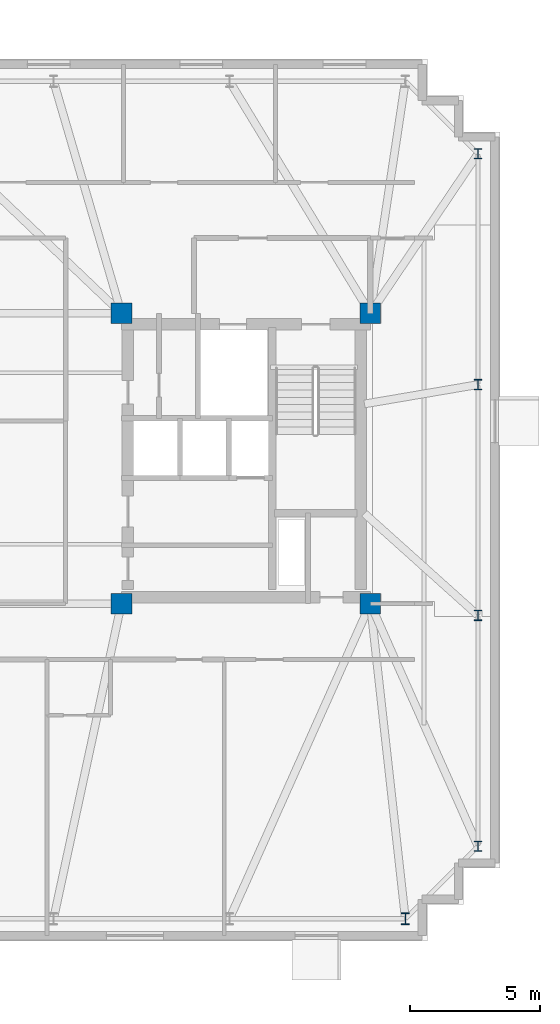
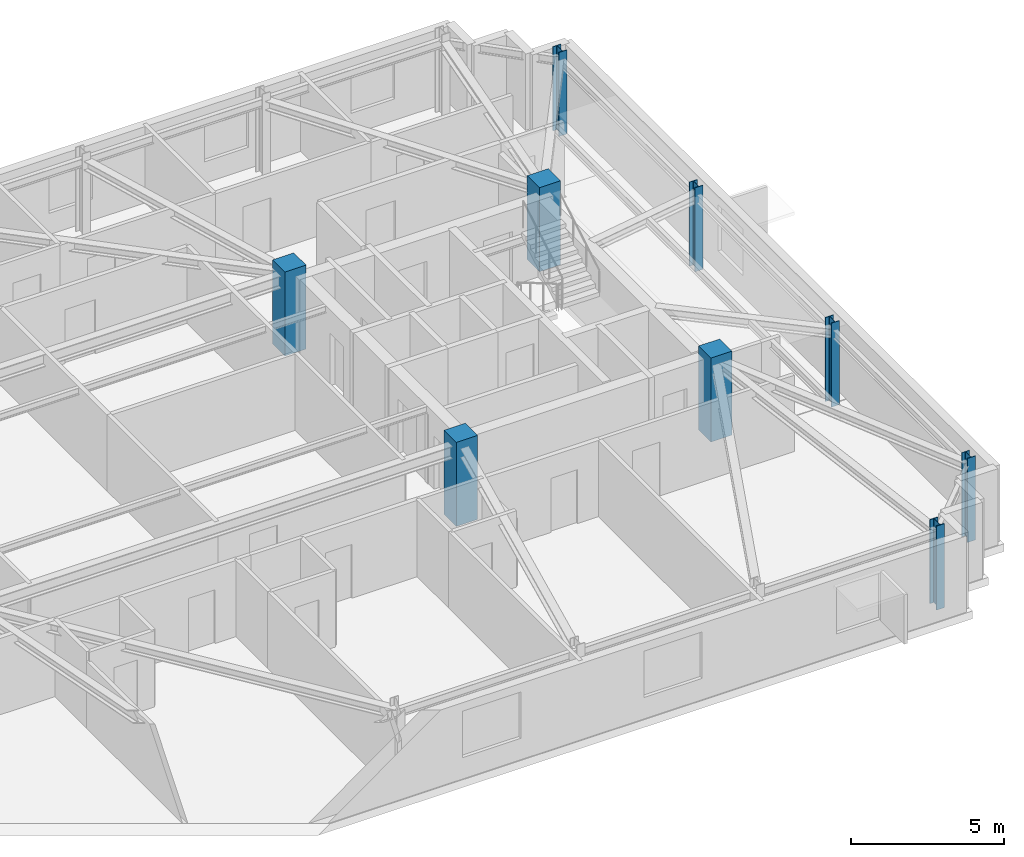
# One storey, part 2 of 12: 9 columns.
"""IFC4 building model written with IfcOpenShell, lengths in metres."""

import ifcopenshell
import ifcopenshell.guid

model = None  # the IFC model being written
_history = None  # IfcOwnerHistory: only IFC2X3 demands one
_inside = {}  # id of a spatial element -> (the spatial element, [elements in it])
_under = {}  # id of a project, library or spatial element -> (it, [spatial elements below it])
_declared = {}  # id of a project -> (the project, [libraries it declares])
_typed = {}  # id of a type object -> (the type object, [elements of that type])
_made_of = {}  # id of a material, layer set ... -> (it, [elements and type objects made of it])


def new_model(schema):
    """Start an empty IFC model of exactly this schema.

    Asked for "IFC4X3", IfcOpenShell would pick the latest addendum, in which some entities
    have other attributes; the version numbers below select the first issue.
    IFC2X3 requires an IfcOwnerHistory on every rooted entity: one is made here for all.
    """
    global model, _history
    if schema == "IFC4X3":
        model = ifcopenshell.file(schema_version=(4, 3, 0, 0))
    else:
        model = ifcopenshell.file(schema=schema)
    _inside.clear()
    _under.clear()
    _declared.clear()
    _typed.clear()
    _made_of.clear()
    _history = None
    if model.schema == "IFC2X3":
        org = make("IfcOrganization", Name="unknown")
        user = make(
            "IfcPersonAndOrganization",
            ThePerson=make("IfcPerson", FamilyName="unknown"),
            TheOrganization=org,
        )
        app = make(
            "IfcApplication",
            ApplicationDeveloper=org,
            Version="unknown",
            ApplicationFullName="unknown",
            ApplicationIdentifier="unknown",
        )
        _history = make(
            "IfcOwnerHistory",
            OwningUser=user,
            OwningApplication=app,
            ChangeAction="ADDED",
            CreationDate=0,
        )
    return model


def make(cls, **values):
    """One entity of the class cls with the attributes given. An attribute that is None is left unset."""
    return model.create_entity(
        cls, **{name: value for name, value in values.items() if value is not None}
    )


def rooted(cls, **values):
    """An entity with a GlobalId (a new one), such as an element, a storey or a relation."""
    return make(cls, GlobalId=ifcopenshell.guid.new(), OwnerHistory=_history, **values)


def si_unit(unit_type, name, prefix=None):
    """IfcSIUnit, for example si_unit("LENGTHUNIT", "METRE", prefix="MILLI")."""
    return make("IfcSIUnit", UnitType=unit_type, Prefix=prefix, Name=name)


def assignment(units):
    """IfcUnitAssignment: the units of a project."""
    return None if units is None else make("IfcUnitAssignment", Units=units)


def point(xyz):
    """IfcCartesianPoint."""
    return None if xyz is None else make("IfcCartesianPoint", Coordinates=xyz)


def direction(xyz):
    """IfcDirection."""
    return None if xyz is None else make("IfcDirection", DirectionRatios=xyz)


def frame(location, z_axis=None, x_axis=None):
    """IfcAxis2Placement3D, a coordinate frame: its origin and axes. An axis left out is left unset."""
    return make(
        "IfcAxis2Placement3D",
        Location=point(location),
        Axis=direction(z_axis),
        RefDirection=direction(x_axis),
    )


def frame_2d(location, x_axis=None):
    """IfcAxis2Placement2D, a coordinate frame in the plane: its origin and x axis."""
    return make(
        "IfcAxis2Placement2D", Location=point(location), RefDirection=direction(x_axis)
    )


def origin():
    """The frame at (0, 0, 0) with its axes left unset."""
    return frame((0.0, 0.0, 0.0))


def origin_2d():
    """The frame at (0, 0) in the plane with its x axis left unset."""
    return frame_2d((0.0, 0.0))


def place(relative_to, where):
    """IfcLocalPlacement: puts the frame where relative to a parent placement (None: the world)."""
    return make(
        "IfcLocalPlacement", PlacementRelTo=relative_to, RelativePlacement=where
    )


def context(
    kind, dimensions, precision=None, world=None, true_north=None, identifier=None
):
    """IfcGeometricRepresentationContext, for example the 3D "Model" context."""
    return make(
        "IfcGeometricRepresentationContext",
        ContextIdentifier=identifier,
        ContextType=kind,
        CoordinateSpaceDimension=dimensions,
        Precision=precision,
        WorldCoordinateSystem=world,
        TrueNorth=true_north,
    )


def subcontext(parent, identifier, kind, view, scale=None):
    """IfcGeometricRepresentationSubContext, for example "Body" below "Model"."""
    return make(
        "IfcGeometricRepresentationSubContext",
        ContextIdentifier=identifier,
        ContextType=kind,
        ParentContext=parent,
        TargetScale=scale,
        TargetView=view,
    )


def project(units=None, contexts=None):
    """IfcProject with its units and contexts."""
    return rooted(
        "IfcProject",
        Name="project",
        RepresentationContexts=contexts,
        UnitsInContext=assignment(units),
    )


def spatial(cls, under=None, at=None, **own):
    """A site, building, storey or space (cls), placed at a placement, below another one or the project."""
    s = rooted(cls, ObjectPlacement=at, **own)
    if under is not None:
        _under.setdefault(under.id(), (under, []))[1].append(s)
    return s


def profile(cls, at=None, kind="AREA", **sizes):
    """A parametric profile (cls). Its sizes go by their IFC names, for example OverallWidth=200.0."""
    return make(cls, ProfileType=kind, Position=at, **sizes)


def rectangle(**sizes):
    """IfcRectangleProfileDef."""
    return profile("IfcRectangleProfileDef", **sizes)


def i_section(**sizes):
    """IfcIShapeProfileDef."""
    return profile("IfcIShapeProfileDef", **sizes)


def extrude(swept, where, along, depth):
    """IfcExtrudedAreaSolid: the profile swept, set in the frame where, extruded along a direction by depth."""
    return make(
        "IfcExtrudedAreaSolid",
        SweptArea=swept,
        Position=where,
        ExtrudedDirection=direction(along),
        Depth=depth,
    )


def shape(context_of_items, identifier, shape_type, items):
    """IfcShapeRepresentation: the items that make up one representation, for example the "Body"."""
    return make(
        "IfcShapeRepresentation",
        ContextOfItems=context_of_items,
        RepresentationIdentifier=identifier,
        RepresentationType=shape_type,
        Items=items,
    )


def material(Name=None, Category=None):
    """IfcMaterial."""
    return make("IfcMaterial", Name=Name, Category=Category)


def material_profile(
    of_material, cross_section, Name=None, Category=None, Priority=None
):
    """IfcMaterialProfile: a cross section and its material."""
    return make(
        "IfcMaterialProfile",
        Name=Name,
        Material=of_material,
        Profile=cross_section,
        Priority=Priority,
        Category=Category,
    )


def profile_set(profiles, Name=None, composite=None):
    """IfcMaterialProfileSet."""
    return make(
        "IfcMaterialProfileSet",
        Name=Name,
        MaterialProfiles=profiles,
        CompositeProfile=composite,
    )


def made_of(thing, what):
    """Note that an element or type object is made of a material, layer set ...; save() writes the relation."""
    if what is not None:
        _made_of.setdefault(what.id(), (what, []))[1].append(thing)
    return thing


def type_object(cls, material=None, **own):
    """A type object (cls), such as IfcWallType, which elements share."""
    return made_of(rooted(cls, **own), material)


def element(
    cls,
    number,
    at=None,
    inside=None,
    cuts=None,
    type_object=None,
    material=None,
    context=None,
    identifier="Body",
    shape_type=None,
    held_by="IfcProductDefinitionShape",
    body=None,
    shapes=None,
    **own,
):
    """One element of the class cls, such as IfcWall. Its Tag is "e" and its number.

    at: its placement. inside: the storey or other place that contains it. cuts: it is an
    opening in that element (IfcRelVoidsElement). A single representation is given by context,
    identifier, shape_type and body (its items); several are given by shapes. held_by: the class
    of the entity that holds the representations. save() writes the other relations.
    """
    e = rooted(cls, Tag="e%d" % number, ObjectPlacement=at, **own)
    if body is not None:
        shapes = [shape(context, identifier, shape_type, body)]
    if shapes is not None:
        e.Representation = make(held_by, Representations=shapes)
    if inside is not None:
        _inside.setdefault(inside.id(), (inside, []))[1].append(e)
    if cuts is not None:
        rooted(
            "IfcRelVoidsElement", RelatingBuildingElement=cuts, RelatedOpeningElement=e
        )
    if type_object is not None:
        _typed.setdefault(type_object.id(), (type_object, []))[1].append(e)
    return made_of(e, material)


def aggregate(whole, parts):
    """IfcRelAggregates: a whole, such as a stair, and the parts it consists of."""
    return rooted("IfcRelAggregates", RelatingObject=whole, RelatedObjects=parts)


def save(model, path):
    """Write the relations noted so far, then the file.

    IfcRelAggregates (storeys below a building ...), IfcRelContainedInSpatialStructure (elements
    in a storey), IfcRelDefinesByType, IfcRelAssociatesMaterial and IfcRelDeclares: one each for
    every whole, place, type object, material and project.
    """
    for whole, parts in _under.values():
        aggregate(whole, parts)
    for where, things in _inside.values():
        rooted(
            "IfcRelContainedInSpatialStructure",
            RelatedElements=things,
            RelatingStructure=where,
        )
    for kind, things in _typed.values():
        rooted("IfcRelDefinesByType", RelatedObjects=things, RelatingType=kind)
    for what, things in _made_of.values():
        rooted("IfcRelAssociatesMaterial", RelatedObjects=things, RelatingMaterial=what)
    for by, libraries in _declared.values():
        rooted("IfcRelDeclares", RelatingContext=by, RelatedDefinitions=libraries)
    model.write(path)


model = new_model("IFC4")

# Units and contexts
model_context = context("Model", 3, precision=1e-05, world=origin(), true_north=direction((0.0, 1.0)))
body_context = subcontext(model_context, "Body", "Model", "MODEL_VIEW")
ifc_project = project(units=[si_unit("LENGTHUNIT", "METRE"), si_unit("AREAUNIT", "SQUARE_METRE"), si_unit("VOLUMEUNIT", "CUBIC_METRE"), si_unit("PLANEANGLEUNIT", "RADIAN"), si_unit("MASSUNIT", "GRAM", prefix="KILO")], contexts=[model_context])

# Site, building, storey
site_placement = place(None, origin())
site = spatial("IfcSite", under=ifc_project, at=site_placement, CompositionType="ELEMENT")
building_placement = place(site_placement, origin())
building = spatial("IfcBuilding", under=site, at=building_placement, Name="Qobustan Lattice House", CompositionType="ELEMENT")
storey_placement = place(building_placement, frame((0.0, 0.0, 241.699951171875)))
storey = spatial("IfcBuildingStorey", under=building, at=storey_placement, Name="L68", CompositionType="ELEMENT", Elevation=241.699951171875)

# Columns
ifc_material_1 = material(Name="Concrete C50/60", Category="concrete")
ifc_material_profile_1 = material_profile(ifc_material_1, rectangle(XDim=0.800048828125, YDim=0.800048828125, at=origin_2d()), Name="RC800x800")
ifc_profile_set_1 = profile_set([ifc_material_profile_1], Name="Concrete C50/60")
column_type_1 = type_object("IfcColumnType", Name="COL-RC-800", PredefinedType="COLUMN", material=ifc_profile_set_1)
for number, where, z_axis, x_axis, name in (
    (1, (9.199951171875, -5.60009765625, 0.0), (0.0, 0.0, 1.0), (1.0, 0.0, 0.0), "L68 core mega-column CE-SW"),
    (2, (9.199951171875, 5.60009765625, 0.0), (0.0, 0.0, 1.0), (1.0, 0.0, 0.0), "L68 core mega-column CE-NW"),
    (3, (18.800048828125, -5.60009765625, 0.0), (0.0, 0.0, 1.0), (1.0, 0.0, 0.0), "L68 core mega-column CE-SE"),
    (4, (18.800048828125, 5.60009765625, 0.0), (0.0, 0.0, 1.0), (1.0, 0.0, 0.0), "L68 core mega-column CE-NE"),
):
    element("IfcColumn", number, at=place(storey_placement, frame(where, z_axis=z_axis, x_axis=x_axis)), inside=storey, type_object=column_type_1, Name=name, PredefinedType="COLUMN", context=body_context, shape_type="SweptSolid", body=[
        extrude(rectangle(XDim=0.800048828125, YDim=0.800048828125, at=origin_2d()), origin(), (0.0, 0.0, 1.0), 3.35009765625),
    ])
ifc_material_2 = material(Name="Steel S355", Category="steel")
ifc_material_profile_2 = material_profile(ifc_material_2, i_section(OverallWidth=0.300048828125, OverallDepth=0.39990234375, WebThickness=0.013427734375, FlangeThickness=0.02392578125, FilletRadius=0.027099609375, at=origin_2d()), Name="HEB400")
ifc_profile_set_2 = profile_set([ifc_material_profile_2], Name="Steel S355")
column_type_2 = type_object("IfcColumnType", Name="COL-ST-HEB400", PredefinedType="COLUMN", material=ifc_profile_set_2)
for number, where, z_axis, x_axis, name in (
    (5, (22.949951171875, -14.949951171875, 0.0), (0.0, 0.0, 1.0), (1.0, 0.0, 0.0), "L68 B5 perimeter column E1"),
    (6, (22.949951171875, -6.050048828125, 0.0), (0.0, 0.0, 1.0), (1.0, 0.0, 0.0), "L68 B5 perimeter column E2"),
    (7, (22.949951171875, 2.85009765625, 0.0), (0.0, 0.0, 1.0), (1.0, 0.0, 0.0), "L68 B5 perimeter column E3"),
    (8, (22.949951171875, 11.75, 0.0), (0.0, 0.0, 1.0), (1.0, 0.0, 0.0), "L68 B5 perimeter column E4"),
):
    element("IfcColumn", number, at=place(storey_placement, frame(where, z_axis=z_axis, x_axis=x_axis)), inside=storey, type_object=column_type_2, Name=name, PredefinedType="COLUMN", context=body_context, shape_type="SweptSolid", body=[
        extrude(i_section(OverallWidth=0.300048828125, OverallDepth=0.39990234375, WebThickness=0.013427734375, FlangeThickness=0.02392578125, FilletRadius=0.027099609375, at=origin_2d()), origin(), (0.0, 0.0, 1.0), 3.35009765625),
    ])
ifc_material_3 = material(Name="Steel S355", Category="steel")
ifc_material_profile_3 = material_profile(ifc_material_3, i_section(OverallWidth=0.300048828125, OverallDepth=0.449951171875, WebThickness=0.013916015625, FlangeThickness=0.02587890625, FilletRadius=0.027099609375, at=origin_2d()), Name="HEB450")
ifc_profile_set_3 = profile_set([ifc_material_profile_3], Name="Steel S355")
column_type_3 = type_object("IfcColumnType", Name="COL-ST-HEB450", PredefinedType="COLUMN", material=ifc_profile_set_3)
column_placement = place(storey_placement, frame((20.14990234375, -17.75, 0.0), z_axis=(0.0, 0.0, 1.0), x_axis=(1.0, 0.0, 0.0)))
element("IfcColumn", 9, at=column_placement, inside=storey, type_object=column_type_3, Name="L68 B5 perimeter column S7", PredefinedType="COLUMN", context=body_context, shape_type="SweptSolid", body=[
    extrude(i_section(OverallWidth=0.300048828125, OverallDepth=0.449951171875, WebThickness=0.013916015625, FlangeThickness=0.02587890625, FilletRadius=0.027099609375, at=origin_2d()), origin(), (0.0, 0.0, 1.0), 3.35009765625),
])

save(model, "model.ifc")
